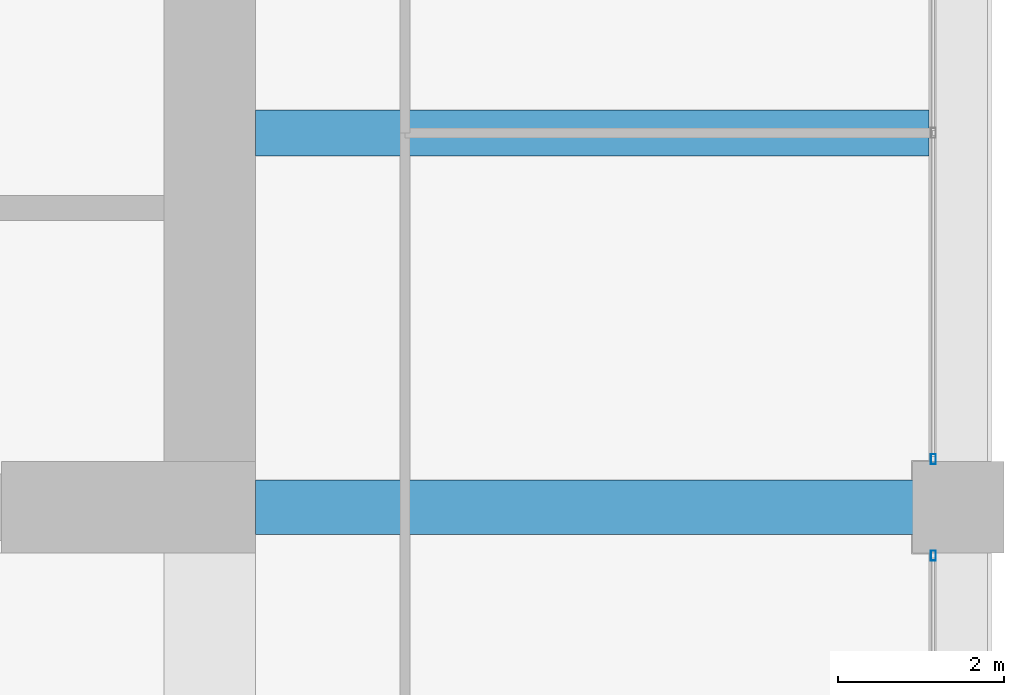
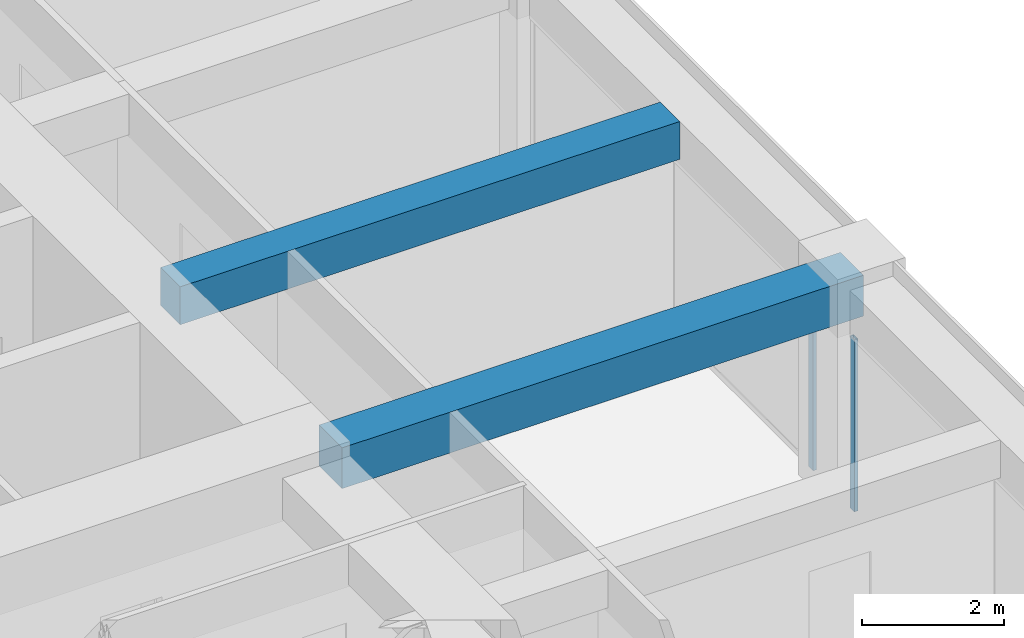
# One storey, part 24 of 44: 2 beams, 2 members, 2 elements without a shape of their own.
"""IFC4 building model written with IfcOpenShell, lengths in metres."""

from ifc_helpers import new_model, si_unit, direction, frame, origin, origin_2d, place, context, subcontext, project, spatial, rectangle, hollow_rectangle, extrude, material, material_profile, profile_set, type_object, element, aggregate, save


model = new_model("IFC4")

# Units and contexts
model_context = context("Model", 3, precision=1e-05, world=origin(), true_north=direction((0.0, 1.0)))
body_context = subcontext(model_context, "Body", "Model", "MODEL_VIEW")
ifc_project = project(units=[si_unit("LENGTHUNIT", "METRE"), si_unit("AREAUNIT", "SQUARE_METRE"), si_unit("VOLUMEUNIT", "CUBIC_METRE"), si_unit("PLANEANGLEUNIT", "RADIAN"), si_unit("MASSUNIT", "GRAM", prefix="KILO")], contexts=[model_context])

# Site, building, storey
site_placement = place(None, origin())
site = spatial("IfcSite", under=ifc_project, at=site_placement, CompositionType="ELEMENT")
building_placement = place(site_placement, origin())
building = spatial("IfcBuilding", under=site, at=building_placement, Name="Zorevar Civic Tower", CompositionType="ELEMENT")
storey_placement = place(building_placement, frame((0.0, 0.0, 299.39990234375)))
storey = spatial("IfcBuildingStorey", under=building, at=storey_placement, Name="L73", CompositionType="ELEMENT", Elevation=299.39990234375)

# Beams
ifc_material_1 = material(Name="Concrete C50/60", Category="concrete")
ifc_material_profile_1 = material_profile(ifc_material_1, rectangle(XDim=0.550048828125, YDim=0.64990234375, at=origin_2d()), Name="RC 550x650")
ifc_profile_set_1 = profile_set([ifc_material_profile_1], Name="Concrete C50/60")
beam_type_1 = type_object("IfcBeamType", Name="Beam RC 550x650", PredefinedType="BEAM", material=ifc_profile_set_1)
beam_1_placement = place(storey_placement, frame((45.550048828125, 22.5, 3.425048828125), z_axis=(1.0, 0.0, 0.0), x_axis=(0.0, 1.0, 0.0)))
element("IfcBeam", 1, at=beam_1_placement, inside=storey, type_object=beam_type_1, Name="Secondary beam L74", PredefinedType="BEAM", context=body_context, shape_type="SweptSolid", body=[
    extrude(rectangle(XDim=0.550048828125, YDim=0.64990234375, at=origin_2d()), origin(), (0.0, 0.0, 1.0), 8.099853515625),
])
ifc_material_2 = material(Name="Concrete C50/60", Category="concrete")
ifc_material_profile_2 = material_profile(ifc_material_2, rectangle(XDim=0.64990234375, YDim=0.699951171875, at=origin_2d()), Name="RC 650x700")
ifc_profile_set_2 = profile_set([ifc_material_profile_2], Name="Concrete C50/60")
beam_type_2 = type_object("IfcBeamType", Name="Beam RC 650x700", PredefinedType="BEAM", material=ifc_profile_set_2)
beam_2_placement = place(storey_placement, frame((45.550048828125, 18.0, 3.400146484375), z_axis=(1.0, 0.0, 0.0), x_axis=(0.0, 1.0, 0.0)))
element("IfcBeam", 2, at=beam_2_placement, inside=storey, type_object=beam_type_2, Name="Girder L74", PredefinedType="BEAM", context=body_context, shape_type="SweptSolid", body=[
    extrude(rectangle(XDim=0.64990234375, YDim=0.699951171875, at=origin_2d()), origin(), (0.0, 0.0, 1.0), 8.449951171875),
])

# Curtain wall, member
ifc_material_3 = material(Name="Dark grey solar-control glass in black aluminium frame", Category="aluminium")
curtain_wall_type = type_object("IfcCurtainWallType", Name="Curtain wall CW5 top zone", PredefinedType="NOTDEFINED", material=ifc_material_3)
curtain_wall_1_placement = place(storey_placement, origin())
curtain_wall_1 = element("IfcCurtainWall", 3, at=curtain_wall_1_placement, inside=storey, type_object=curtain_wall_type, Name="CW5 L73", PredefinedType="NOTDEFINED")
ifc_material_4 = material(Name="Aluminium, black anodised", Category="aluminium")
ifc_material_profile_3 = material_profile(ifc_material_4, hollow_rectangle(XDim=0.06005859375, YDim=0.1201171875, WallThickness=0.0029296875, at=origin_2d()), Name="AL 120x60x3")
ifc_profile_set_3 = profile_set([ifc_material_profile_3], Name="Aluminium, black anodised")
member_type = type_object("IfcMemberType", Name="CW5 mullion AL 120x60x3", PredefinedType="MULLION", material=ifc_profile_set_3)
member_1_placement = place(storey_placement, frame((53.699951171875, 17.419921875, 0.0), z_axis=(0.0, 0.0, 1.0), x_axis=(-1.0, 0.0, 0.0)))
member_1 = element("IfcMember", 4, at=member_1_placement, type_object=member_type, Name="CW5 mullion 3", PredefinedType="MULLION", context=body_context, shape_type="SweptSolid", body=[
    extrude(hollow_rectangle(XDim=0.06005859375, YDim=0.1201171875, WallThickness=0.0029296875, at=origin_2d()), origin(), (0.0, 0.0, 1.0), 2.9501953125),
])
aggregate(curtain_wall_1, [member_1])

curtain_wall_2_placement = place(storey_placement, origin())
curtain_wall_2 = element("IfcCurtainWall", 5, at=curtain_wall_2_placement, inside=storey, type_object=curtain_wall_type, Name="CW5 L73", PredefinedType="NOTDEFINED")
member_2_placement = place(storey_placement, frame((53.699951171875, 18.580078125, 0.0), z_axis=(0.0, 0.0, 1.0), x_axis=(-1.0, 0.0, 0.0)))
member_2 = element("IfcMember", 6, at=member_2_placement, type_object=member_type, Name="CW5 mullion 1", PredefinedType="MULLION", context=body_context, shape_type="SweptSolid", body=[
    extrude(hollow_rectangle(XDim=0.06005859375, YDim=0.1201171875, WallThickness=0.0029296875, at=origin_2d()), origin(), (0.0, 0.0, 1.0), 2.9501953125),
])
aggregate(curtain_wall_2, [member_2])

save(model, "model.ifc")
